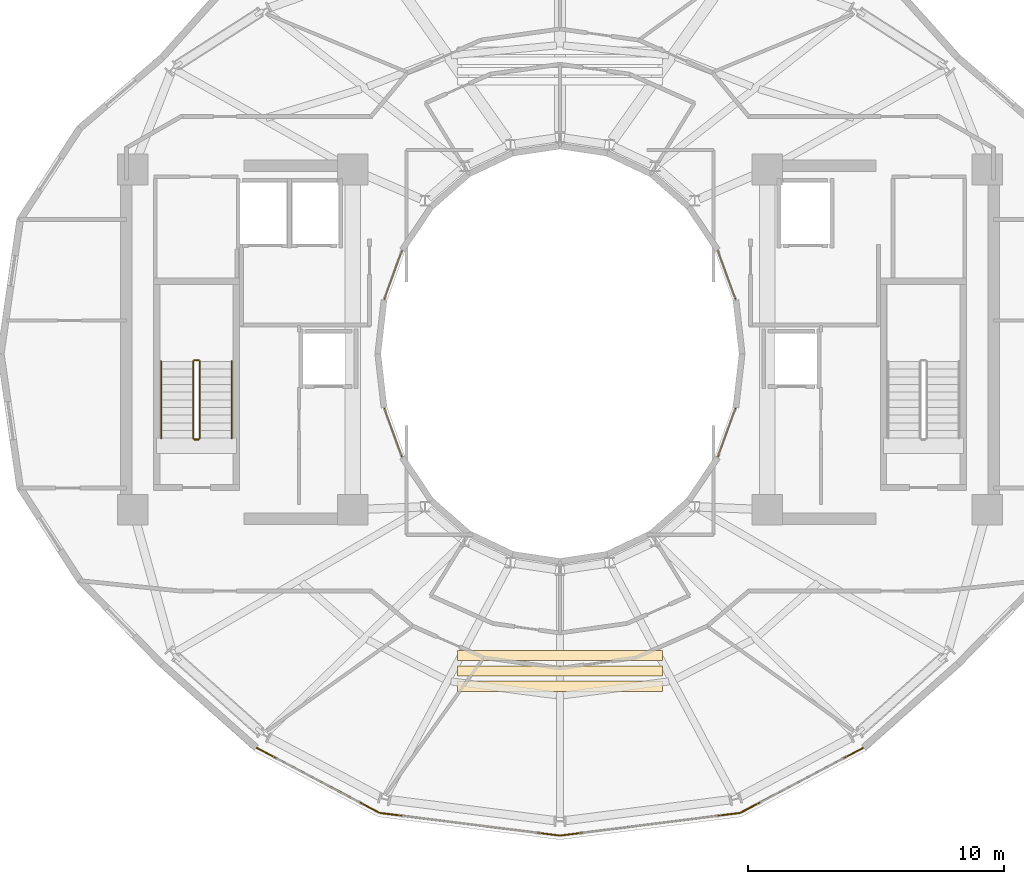
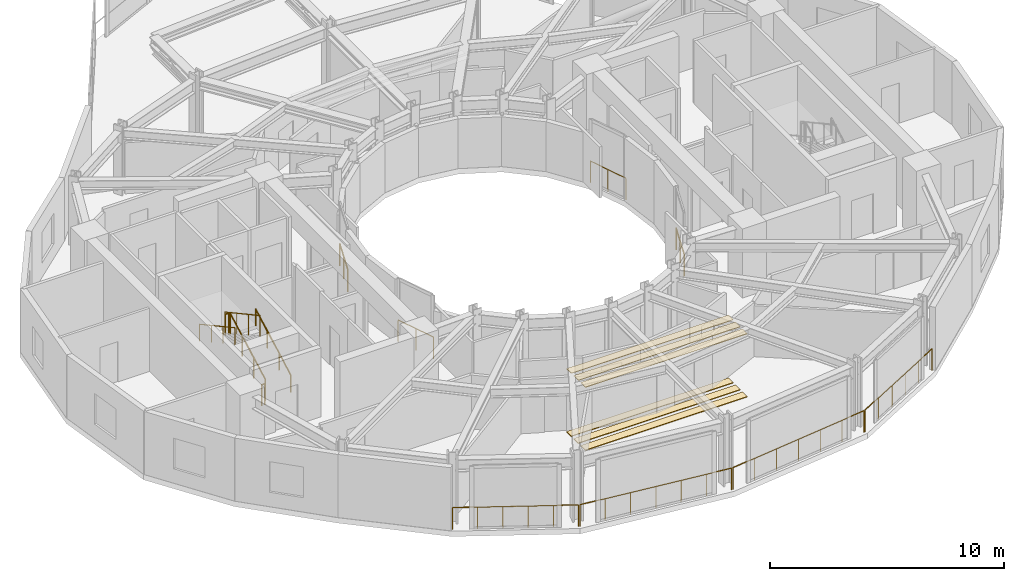
# One storey, part 22 of 24: 14 railings, 6 coverings.
"""IFC4 building model written with IfcOpenShell, lengths in metres."""

from ifc_helpers import new_model, si_unit, direction, frame, origin, origin_2d, place, context, subcontext, project, spatial, polyline, circle, outline, extrude, material, layer, layer_set, type_object, element, save


model = new_model("IFC4")

# Units and contexts
model_context = context("Model", 3, precision=1e-05, world=origin(), true_north=direction((0.0, 1.0)))
body_context = subcontext(model_context, "Body", "Model", "MODEL_VIEW")
ifc_project = project(units=[si_unit("LENGTHUNIT", "METRE"), si_unit("AREAUNIT", "SQUARE_METRE"), si_unit("VOLUMEUNIT", "CUBIC_METRE"), si_unit("PLANEANGLEUNIT", "RADIAN"), si_unit("MASSUNIT", "GRAM", prefix="KILO")], contexts=[model_context])

# Site, building, storey
site_placement = place(None, origin())
site = spatial("IfcSite", under=ifc_project, at=site_placement, CompositionType="ELEMENT")
building_placement = place(site_placement, origin())
building = spatial("IfcBuilding", under=site, at=building_placement, Name="Solvane Sanctuary Tower", CompositionType="ELEMENT")
storey_placement = place(building_placement, frame((0.0, 0.0, 253.199951171875)))
storey = spatial("IfcBuildingStorey", under=building, at=storey_placement, Name="L77", CompositionType="ELEMENT", Elevation=253.199951171875)

# Coverings
ifc_material_1 = material(Name="Acoustic Gypsum Partition Board")
ifc_layer_1 = layer(ifc_material_1, 0.02490234375, Name="Acoustic Gypsum Partition Board")
ifc_layer_set_1 = layer_set([ifc_layer_1], Name="Acoustic Gypsum Partition Board")
covering_type_1 = type_object("IfcCoveringType", Name="Covering CLG-ACOUST", PredefinedType="CEILING", material=ifc_layer_set_1)
covering_1_placement = place(storey_placement, frame((0.0, 0.0, 3.2900390625)))
element("IfcCovering", 1, at=covering_1_placement, inside=storey, type_object=covering_type_1, Name="L77 Sky Dining Acoustic Coffer 5", PredefinedType="CEILING", context=body_context, shape_type="SweptSolid", body=[
    extrude(outline(polyline([(28.0, 9.800048828125), (36.0, 9.800048828125), (36.0, 10.199951171875), (28.0, 10.199951171875), (28.0, 9.800048828125)])), origin(), (0.0, 0.0, 1.0), 0.030029296875),
])
covering_2_placement = place(storey_placement, frame((0.0, 0.0, 3.2900390625)))
element("IfcCovering", 2, at=covering_2_placement, inside=storey, type_object=covering_type_1, Name="L77 Sky Dining Acoustic Coffer 6", PredefinedType="CEILING", context=body_context, shape_type="SweptSolid", body=[
    extrude(outline(polyline([(28.0, 10.39990234375), (36.0, 10.39990234375), (36.0, 10.800048828125), (28.0, 10.800048828125), (28.0, 10.39990234375)])), origin(), (0.0, 0.0, 1.0), 0.030029296875),
])
covering_3_placement = place(storey_placement, frame((0.0, 0.0, 3.2900390625)))
element("IfcCovering", 3, at=covering_3_placement, inside=storey, type_object=covering_type_1, Name="L77 Sky Dining Acoustic Coffer 7", PredefinedType="CEILING", context=body_context, shape_type="SweptSolid", body=[
    extrude(outline(polyline([(28.0, 11.0), (36.0, 11.0), (36.0, 11.39990234375), (28.0, 11.39990234375), (28.0, 11.0)])), origin(), (0.0, 0.0, 1.0), 0.030029296875),
])
ifc_material_2 = material(Name="Ceramic Tile Finish")
ifc_layer_2 = layer(ifc_material_2, 0.030029296875, Name="Ceramic Tile Finish")
ifc_layer_set_2 = layer_set([ifc_layer_2], Name="Ceramic Tile Finish")
covering_type_2 = type_object("IfcCoveringType", Name="Covering FLR-TERRAZZO", PredefinedType="FLOORING", material=ifc_layer_set_2)
covering_4_placement = place(storey_placement, origin())
element("IfcCovering", 4, at=covering_4_placement, inside=storey, type_object=covering_type_2, Name="L77 Sky Dining Terrazzo Inlay 5", PredefinedType="FLOORING", context=body_context, shape_type="SweptSolid", body=[
    extrude(outline(polyline([(28.0, 9.800048828125), (36.0, 9.800048828125), (36.0, 10.199951171875), (28.0, 10.199951171875), (28.0, 9.800048828125)])), origin(), (0.0, 0.0, 1.0), 0.03515625),
])
covering_5_placement = place(storey_placement, origin())
element("IfcCovering", 5, at=covering_5_placement, inside=storey, type_object=covering_type_2, Name="L77 Sky Dining Terrazzo Inlay 6", PredefinedType="FLOORING", context=body_context, shape_type="SweptSolid", body=[
    extrude(outline(polyline([(28.0, 10.39990234375), (36.0, 10.39990234375), (36.0, 10.800048828125), (28.0, 10.800048828125), (28.0, 10.39990234375)])), origin(), (0.0, 0.0, 1.0), 0.03515625),
])
covering_6_placement = place(storey_placement, origin())
element("IfcCovering", 6, at=covering_6_placement, inside=storey, type_object=covering_type_2, Name="L77 Sky Dining Terrazzo Inlay 7", PredefinedType="FLOORING", context=body_context, shape_type="SweptSolid", body=[
    extrude(outline(polyline([(28.0, 11.0), (36.0, 11.0), (36.0, 11.39990234375), (28.0, 11.39990234375), (28.0, 11.0)])), origin(), (0.0, 0.0, 1.0), 0.03515625),
])

# Railings
ifc_material_3 = material(Name="Architectural Stainless Steel 316", Category="steel")
railing_type_1 = type_object("IfcRailingType", Name="Railing GR-BALC-1150", PredefinedType="BALUSTRADE", material=ifc_material_3)
railing_1_placement = place(storey_placement, frame((20.156494140625, 7.5869140625, 0.0)))
element("IfcRailing", 7, at=railing_1_placement, inside=storey, type_object=railing_type_1, Name="L77 Curtain-Wall Perimeter Sill Guard 16", PredefinedType="BALUSTRADE", context=body_context, shape_type="SweptSolid", body=[
    extrude(circle(Radius=0.02392578125, at=origin_2d()), frame((0.0, 0.0, 1.1259765625), z_axis=(0.883976980304, -0.467530424992, 0.0), x_axis=(0.467530424992, 0.883976980304, 0.0)), (0.0, 0.0, 1.0), 5.400390625),
    extrude(circle(Radius=0.02099609375, at=origin_2d()), origin(), (0.0, 0.0, 1.0), 1.101806640625),
    extrude(circle(Radius=0.02099609375, at=origin_2d()), frame((0.954833984375, -0.5048828125, 0.0)), (0.0, 0.0, 1.0), 1.101806640625),
    extrude(circle(Radius=0.02099609375, at=origin_2d()), frame((1.90966796875, -1.010009765625, 0.0)), (0.0, 0.0, 1.0), 1.101806640625),
    extrude(circle(Radius=0.02099609375, at=origin_2d()), frame((2.8642578125, -1.514892578125, 0.0)), (0.0, 0.0, 1.0), 1.101806640625),
    extrude(circle(Radius=0.02099609375, at=origin_2d()), frame((3.819091796875, -2.02001953125, 0.0)), (0.0, 0.0, 1.0), 1.101806640625),
    extrude(circle(Radius=0.02099609375, at=origin_2d()), frame((4.77392578125, -2.52490234375, 0.0)), (0.0, 0.0, 1.0), 1.101806640625),
])
railing_2_placement = place(storey_placement, frame((24.98681640625, 5.04443359375, 0.0)))
element("IfcRailing", 8, at=railing_2_placement, inside=storey, type_object=railing_type_1, Name="L77 Curtain-Wall Perimeter Sill Guard 17", PredefinedType="BALUSTRADE", context=body_context, shape_type="SweptSolid", body=[
    extrude(circle(Radius=0.02392578125, at=origin_2d()), frame((0.0, 0.0, 1.1259765625), z_axis=(0.992181523379, -0.124803143655, 0.0), x_axis=(0.124803143655, 0.992181523379, 0.0)), (0.0, 0.0, 1.0), 7.038330078125),
    extrude(circle(Radius=0.02099609375, at=origin_2d()), origin(), (0.0, 0.0, 1.0), 1.101806640625),
    extrude(circle(Radius=0.02099609375, at=origin_2d()), frame((1.163818359375, -0.146484375, 0.0)), (0.0, 0.0, 1.0), 1.101806640625),
    extrude(circle(Radius=0.02099609375, at=origin_2d()), frame((2.327880859375, -0.292724609375, 0.0)), (0.0, 0.0, 1.0), 1.101806640625),
    extrude(circle(Radius=0.02099609375, at=origin_2d()), frame((3.49169921875, -0.439208984375, 0.0)), (0.0, 0.0, 1.0), 1.101806640625),
    extrude(circle(Radius=0.02099609375, at=origin_2d()), frame((4.655517578125, -0.585693359375, 0.0)), (0.0, 0.0, 1.0), 1.101806640625),
    extrude(circle(Radius=0.02099609375, at=origin_2d()), frame((5.819580078125, -0.73193359375, 0.0)), (0.0, 0.0, 1.0), 1.101806640625),
    extrude(circle(Radius=0.02099609375, at=origin_2d()), frame((6.9833984375, -0.87841796875, 0.0)), (0.0, 0.0, 1.0), 1.101806640625),
])
railing_3_placement = place(storey_placement, frame((32.02978515625, 4.166015625, 0.0)))
element("IfcRailing", 9, at=railing_3_placement, inside=storey, type_object=railing_type_1, Name="L77 Curtain-Wall Perimeter Sill Guard 18", PredefinedType="BALUSTRADE", context=body_context, shape_type="SweptSolid", body=[
    extrude(circle(Radius=0.02392578125, at=origin_2d()), frame((0.0, 0.0, 1.1259765625), z_axis=(0.992181523379, 0.124803143655, 0.0), x_axis=(-0.124803143655, 0.992181523379, 0.0)), (0.0, 0.0, 1.0), 7.038330078125),
    extrude(circle(Radius=0.02099609375, at=origin_2d()), origin(), (0.0, 0.0, 1.0), 1.101806640625),
    extrude(circle(Radius=0.02099609375, at=origin_2d()), frame((1.163818359375, 0.146484375, 0.0)), (0.0, 0.0, 1.0), 1.101806640625),
    extrude(circle(Radius=0.02099609375, at=origin_2d()), frame((2.327880859375, 0.292724609375, 0.0)), (0.0, 0.0, 1.0), 1.101806640625),
    extrude(circle(Radius=0.02099609375, at=origin_2d()), frame((3.49169921875, 0.439208984375, 0.0)), (0.0, 0.0, 1.0), 1.101806640625),
    extrude(circle(Radius=0.02099609375, at=origin_2d()), frame((4.655517578125, 0.585693359375, 0.0)), (0.0, 0.0, 1.0), 1.101806640625),
    extrude(circle(Radius=0.02099609375, at=origin_2d()), frame((5.819580078125, 0.73193359375, 0.0)), (0.0, 0.0, 1.0), 1.101806640625),
    extrude(circle(Radius=0.02099609375, at=origin_2d()), frame((6.9833984375, 0.87841796875, 0.0)), (0.0, 0.0, 1.0), 1.101806640625),
])
railing_4_placement = place(storey_placement, frame((39.069580078125, 5.06201171875, 0.0)))
element("IfcRailing", 10, at=railing_4_placement, inside=storey, type_object=railing_type_1, Name="L77 Curtain-Wall Perimeter Sill Guard 19", PredefinedType="BALUSTRADE", context=body_context, shape_type="SweptSolid", body=[
    extrude(circle(Radius=0.02392578125, at=origin_2d()), frame((0.0, 0.0, 1.1259765625), z_axis=(0.883976980304, 0.467530424992, 0.0), x_axis=(-0.467530424992, 0.883976980304, 0.0)), (0.0, 0.0, 1.0), 5.400390625),
    extrude(circle(Radius=0.02099609375, at=origin_2d()), origin(), (0.0, 0.0, 1.0), 1.101806640625),
    extrude(circle(Radius=0.02099609375, at=origin_2d()), frame((0.954833984375, 0.5048828125, 0.0)), (0.0, 0.0, 1.0), 1.101806640625),
    extrude(circle(Radius=0.02099609375, at=origin_2d()), frame((1.90966796875, 1.010009765625, 0.0)), (0.0, 0.0, 1.0), 1.101806640625),
    extrude(circle(Radius=0.02099609375, at=origin_2d()), frame((2.8642578125, 1.514892578125, 0.0)), (0.0, 0.0, 1.0), 1.101806640625),
    extrude(circle(Radius=0.02099609375, at=origin_2d()), frame((3.819091796875, 2.02001953125, 0.0)), (0.0, 0.0, 1.0), 1.101806640625),
    extrude(circle(Radius=0.02099609375, at=origin_2d()), frame((4.77392578125, 2.52490234375, 0.0)), (0.0, 0.0, 1.0), 1.101806640625),
])
railing_5_placement = place(storey_placement, frame((17.919921875, 19.699951171875, 0.16357421875)))
element("IfcRailing", 11, at=railing_5_placement, inside=storey, type_object=railing_type_1, Name="L77 ST-1 stair guard 1", PredefinedType="BALUSTRADE", context=body_context, shape_type="SweptSolid", body=[
    extrude(circle(Radius=0.02392578125, at=origin_2d()), frame((0.0, 0.0, 1.076171875), z_axis=(0.0, 0.877881921179, 0.478877158013), x_axis=(-1.0, 0.0, 0.0)), (0.0, 0.0, 1.0), 3.417236328125),
    extrude(circle(Radius=0.02099609375, at=origin_2d()), origin(), (0.0, 0.0, 1.0), 1.052001953125),
    extrude(circle(Radius=0.02099609375, at=origin_2d()), frame((0.0, 1.0, 0.54541015625)), (0.0, 0.0, 1.0), 1.052001953125),
    extrude(circle(Radius=0.02099609375, at=origin_2d()), frame((0.0, 2.0, 1.091064453125)), (0.0, 0.0, 1.0), 1.052001953125),
    extrude(circle(Radius=0.02099609375, at=origin_2d()), frame((0.0, 3.0, 1.636474609375)), (0.0, 0.0, 1.0), 1.052001953125),
])
railing_6_placement = place(storey_placement, frame((17.8701171875, 22.75, 1.800048828125)))
element("IfcRailing", 12, at=railing_6_placement, inside=storey, type_object=railing_type_1, Name="L77 ST-1 stair guard 2", PredefinedType="BALUSTRADE", context=body_context, shape_type="SweptSolid", body=[
    extrude(circle(Radius=0.02392578125, at=origin_2d()), frame((0.0, 0.0, 1.076171875), z_axis=(-1.0, 0.0, 0.0), x_axis=(0.0, -1.0, 0.0)), (0.0, 0.0, 1.0), 0.16015625),
    extrude(circle(Radius=0.02099609375, at=origin_2d()), origin(), (0.0, 0.0, 1.0), 1.052001953125),
    extrude(circle(Radius=0.02099609375, at=origin_2d()), frame((-0.16015625, 0.0, 0.0)), (0.0, 0.0, 1.0), 1.052001953125),
])
railing_7_placement = place(storey_placement, frame((17.659912109375, 22.699951171875, 1.963623046875)))
element("IfcRailing", 13, at=railing_7_placement, inside=storey, type_object=railing_type_1, Name="L77 ST-1 stair guard 3", PredefinedType="BALUSTRADE", context=body_context, shape_type="SweptSolid", body=[
    extrude(circle(Radius=0.02392578125, at=origin_2d()), frame((0.0, 0.0, 1.076171875), z_axis=(0.0, -0.877881921179, 0.478877158013), x_axis=(1.0, 0.0, 0.0)), (0.0, 0.0, 1.0), 3.417236328125),
    extrude(circle(Radius=0.02099609375, at=origin_2d()), origin(), (0.0, 0.0, 1.0), 1.052001953125),
    extrude(circle(Radius=0.02099609375, at=origin_2d()), frame((0.0, -1.0, 0.54541015625)), (0.0, 0.0, 1.0), 1.052001953125),
    extrude(circle(Radius=0.02099609375, at=origin_2d()), frame((0.0, -2.0, 1.091064453125)), (0.0, 0.0, 1.0), 1.052001953125),
    extrude(circle(Radius=0.02099609375, at=origin_2d()), frame((0.0, -3.0, 1.636474609375)), (0.0, 0.0, 1.0), 1.052001953125),
])
railing_8_placement = place(storey_placement, frame((17.8701171875, 19.64990234375, 0.0)))
element("IfcRailing", 14, at=railing_8_placement, inside=storey, type_object=railing_type_1, Name="L77 ST-1 stair guard 4", PredefinedType="BALUSTRADE", context=body_context, shape_type="SweptSolid", body=[
    extrude(circle(Radius=0.02392578125, at=origin_2d()), frame((0.0, 0.0, 1.076171875), z_axis=(-1.0, 0.0, 0.0), x_axis=(0.0, -1.0, 0.0)), (0.0, 0.0, 1.0), 0.16015625),
    extrude(circle(Radius=0.02099609375, at=origin_2d()), origin(), (0.0, 0.0, 1.0), 1.052001953125),
    extrude(circle(Radius=0.02099609375, at=origin_2d()), frame((-0.16015625, 0.0, 0.0)), (0.0, 0.0, 1.0), 1.052001953125),
])
railing_type_2 = type_object("IfcRailingType", Name="Railing GR-WELL-1150", PredefinedType="GUARDRAIL", material=ifc_material_3)
railing_9_placement = place(storey_placement, frame((38.8603515625, 25.148681640625, 0.0)))
element("IfcRailing", 15, at=railing_9_placement, inside=storey, type_object=railing_type_2, Name="L77 Light-Well Glazing Sill Guard 01", PredefinedType="GUARDRAIL", context=body_context, shape_type="SweptSolid", body=[
    extrude(circle(Radius=0.02392578125, at=origin_2d()), frame((0.0, 0.0, 1.1259765625), z_axis=(-0.341446556351, 0.939901191166, 0.0), x_axis=(-0.939901191166, -0.341446556351, 0.0)), (0.0, 0.0, 1.0), 1.9833984375),
    extrude(circle(Radius=0.02099609375, at=origin_2d()), origin(), (0.0, 0.0, 1.0), 1.101806640625),
    extrude(circle(Radius=0.02099609375, at=origin_2d()), frame((-0.338623046875, 0.93212890625, 0.0)), (0.0, 0.0, 1.0), 1.101806640625),
    extrude(circle(Radius=0.02099609375, at=origin_2d()), frame((-0.67724609375, 1.8642578125, 0.0)), (0.0, 0.0, 1.0), 1.101806640625),
])
railing_10_placement = place(storey_placement, frame((25.81689453125, 27.012939453125, 0.0)))
element("IfcRailing", 16, at=railing_10_placement, inside=storey, type_object=railing_type_2, Name="L77 Light-Well Glazing Sill Guard 10", PredefinedType="GUARDRAIL", context=body_context, shape_type="SweptSolid", body=[
    extrude(circle(Radius=0.02392578125, at=origin_2d()), frame((0.0, 0.0, 1.1259765625), z_axis=(-0.341446556351, -0.939901191166, 0.0), x_axis=(0.939901191166, -0.341446556351, 0.0)), (0.0, 0.0, 1.0), 1.9833984375),
    extrude(circle(Radius=0.02099609375, at=origin_2d()), origin(), (0.0, 0.0, 1.0), 1.101806640625),
    extrude(circle(Radius=0.02099609375, at=origin_2d()), frame((-0.338623046875, -0.93212890625, 0.0)), (0.0, 0.0, 1.0), 1.101806640625),
    extrude(circle(Radius=0.02099609375, at=origin_2d()), frame((-0.67724609375, -1.8642578125, 0.0)), (0.0, 0.0, 1.0), 1.101806640625),
])
railing_11_placement = place(storey_placement, frame((25.1396484375, 20.851318359375, 0.0)))
element("IfcRailing", 17, at=railing_11_placement, inside=storey, type_object=railing_type_2, Name="L77 Light-Well Glazing Sill Guard 13", PredefinedType="GUARDRAIL", context=body_context, shape_type="SweptSolid", body=[
    extrude(circle(Radius=0.02392578125, at=origin_2d()), frame((0.0, 0.0, 1.1259765625), z_axis=(0.341446556351, -0.939901191166, 0.0), x_axis=(0.939901191166, 0.341446556351, 0.0)), (0.0, 0.0, 1.0), 1.9833984375),
    extrude(circle(Radius=0.02099609375, at=origin_2d()), origin(), (0.0, 0.0, 1.0), 1.101806640625),
    extrude(circle(Radius=0.02099609375, at=origin_2d()), frame((0.338623046875, -0.93212890625, 0.0)), (0.0, 0.0, 1.0), 1.101806640625),
    extrude(circle(Radius=0.02099609375, at=origin_2d()), frame((0.67724609375, -1.8642578125, 0.0)), (0.0, 0.0, 1.0), 1.101806640625),
])
railing_12_placement = place(storey_placement, frame((38.18310546875, 18.987060546875, 0.0)))
element("IfcRailing", 18, at=railing_12_placement, inside=storey, type_object=railing_type_2, Name="L77 Light-Well Glazing Sill Guard 22", PredefinedType="GUARDRAIL", context=body_context, shape_type="SweptSolid", body=[
    extrude(circle(Radius=0.02392578125, at=origin_2d()), frame((0.0, 0.0, 1.1259765625), z_axis=(0.341446556351, 0.939901191166, 0.0), x_axis=(-0.939901191166, 0.341446556351, 0.0)), (0.0, 0.0, 1.0), 1.9833984375),
    extrude(circle(Radius=0.02099609375, at=origin_2d()), origin(), (0.0, 0.0, 1.0), 1.101806640625),
    extrude(circle(Radius=0.02099609375, at=origin_2d()), frame((0.338623046875, 0.93212890625, 0.0)), (0.0, 0.0, 1.0), 1.101806640625),
    extrude(circle(Radius=0.02099609375, at=origin_2d()), frame((0.67724609375, 1.8642578125, 0.0)), (0.0, 0.0, 1.0), 1.101806640625),
])
railing_type_3 = type_object("IfcRailingType", Name="Railing HR-STAIR-920", PredefinedType="HANDRAIL", material=ifc_material_3)
railing_13_placement = place(storey_placement, frame((19.169921875, 19.699951171875, 0.16357421875)))
element("IfcRailing", 19, at=railing_13_placement, inside=storey, type_object=railing_type_3, Name="L77 ST-1 stair handrail 1", PredefinedType="HANDRAIL", context=body_context, shape_type="SweptSolid", body=[
    extrude(circle(Radius=0.02392578125, at=origin_2d()), frame((0.0, 0.0, 0.8759765625), z_axis=(0.0, 0.877881921179, 0.478877158013), x_axis=(-1.0, 0.0, 0.0)), (0.0, 0.0, 1.0), 3.417236328125),
    extrude(circle(Radius=0.02099609375, at=origin_2d()), origin(), (0.0, 0.0, 1.0), 0.851806640625),
    extrude(circle(Radius=0.02099609375, at=origin_2d()), frame((0.0, 1.0, 0.54541015625)), (0.0, 0.0, 1.0), 0.851806640625),
    extrude(circle(Radius=0.02099609375, at=origin_2d()), frame((0.0, 2.0, 1.091064453125)), (0.0, 0.0, 1.0), 0.851806640625),
    extrude(circle(Radius=0.02099609375, at=origin_2d()), frame((0.0, 3.0, 1.636474609375)), (0.0, 0.0, 1.0), 0.851806640625),
])
railing_14_placement = place(storey_placement, frame((16.409912109375, 22.699951171875, 1.963623046875)))
element("IfcRailing", 20, at=railing_14_placement, inside=storey, type_object=railing_type_3, Name="L77 ST-1 stair handrail 2", PredefinedType="HANDRAIL", context=body_context, shape_type="SweptSolid", body=[
    extrude(circle(Radius=0.02392578125, at=origin_2d()), frame((0.0, 0.0, 0.8759765625), z_axis=(0.0, -0.877881921179, 0.478877158013), x_axis=(1.0, 0.0, 0.0)), (0.0, 0.0, 1.0), 3.417236328125),
    extrude(circle(Radius=0.02099609375, at=origin_2d()), origin(), (0.0, 0.0, 1.0), 0.851806640625),
    extrude(circle(Radius=0.02099609375, at=origin_2d()), frame((0.0, -1.0, 0.54541015625)), (0.0, 0.0, 1.0), 0.851806640625),
    extrude(circle(Radius=0.02099609375, at=origin_2d()), frame((0.0, -2.0, 1.091064453125)), (0.0, 0.0, 1.0), 0.851806640625),
    extrude(circle(Radius=0.02099609375, at=origin_2d()), frame((0.0, -3.0, 1.636474609375)), (0.0, 0.0, 1.0), 0.851806640625),
])

save(model, "model.ifc")
